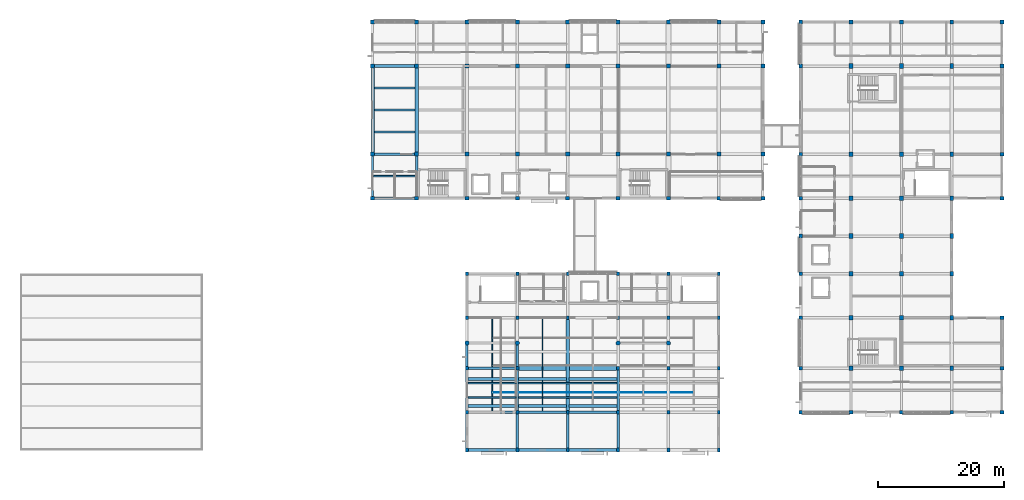
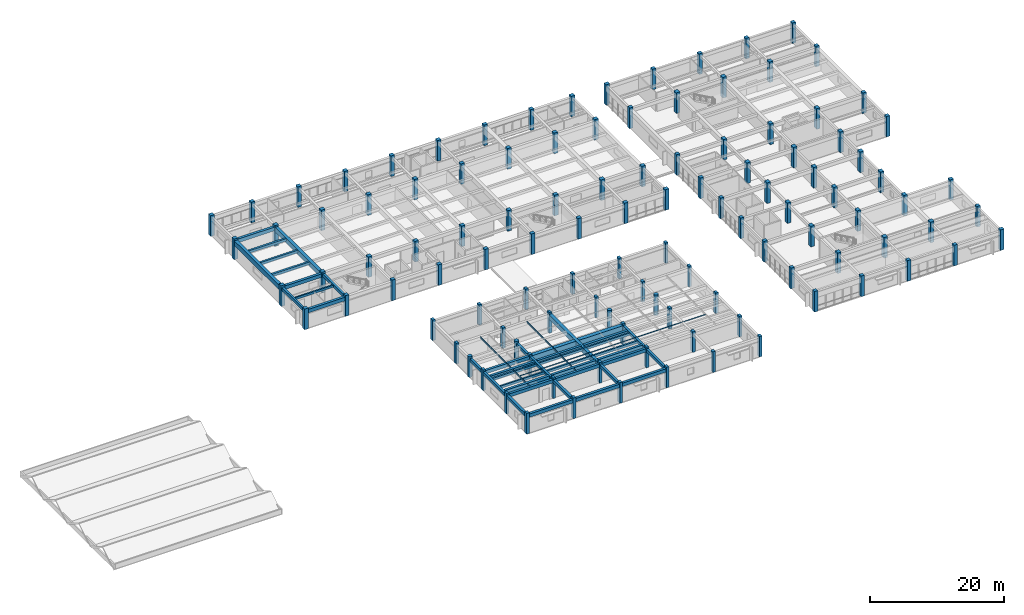
# One storey, part 1 of 33: 112 columns, 39 beams, 3 members.
"""IFC4 building model written with IfcOpenShell, lengths in metres."""

import ifcopenshell
import ifcopenshell.guid

model = None  # the IFC model being written
_history = None  # IfcOwnerHistory: only IFC2X3 demands one
_inside = {}  # id of a spatial element -> (the spatial element, [elements in it])
_under = {}  # id of a project, library or spatial element -> (it, [spatial elements below it])
_declared = {}  # id of a project -> (the project, [libraries it declares])
_typed = {}  # id of a type object -> (the type object, [elements of that type])
_made_of = {}  # id of a material, layer set ... -> (it, [elements and type objects made of it])


def new_model(schema):
    """Start an empty IFC model of exactly this schema.

    Asked for "IFC4X3", IfcOpenShell would pick the latest addendum, in which some entities
    have other attributes; the version numbers below select the first issue.
    IFC2X3 requires an IfcOwnerHistory on every rooted entity: one is made here for all.
    """
    global model, _history
    if schema == "IFC4X3":
        model = ifcopenshell.file(schema_version=(4, 3, 0, 0))
    else:
        model = ifcopenshell.file(schema=schema)
    _inside.clear()
    _under.clear()
    _declared.clear()
    _typed.clear()
    _made_of.clear()
    _history = None
    if model.schema == "IFC2X3":
        org = make("IfcOrganization", Name="unknown")
        user = make(
            "IfcPersonAndOrganization",
            ThePerson=make("IfcPerson", FamilyName="unknown"),
            TheOrganization=org,
        )
        app = make(
            "IfcApplication",
            ApplicationDeveloper=org,
            Version="unknown",
            ApplicationFullName="unknown",
            ApplicationIdentifier="unknown",
        )
        _history = make(
            "IfcOwnerHistory",
            OwningUser=user,
            OwningApplication=app,
            ChangeAction="ADDED",
            CreationDate=0,
        )
    return model


def make(cls, **values):
    """One entity of the class cls with the attributes given. An attribute that is None is left unset."""
    return model.create_entity(
        cls, **{name: value for name, value in values.items() if value is not None}
    )


def rooted(cls, **values):
    """An entity with a GlobalId (a new one), such as an element, a storey or a relation."""
    return make(cls, GlobalId=ifcopenshell.guid.new(), OwnerHistory=_history, **values)


def si_unit(unit_type, name, prefix=None):
    """IfcSIUnit, for example si_unit("LENGTHUNIT", "METRE", prefix="MILLI")."""
    return make("IfcSIUnit", UnitType=unit_type, Prefix=prefix, Name=name)


def assignment(units):
    """IfcUnitAssignment: the units of a project."""
    return None if units is None else make("IfcUnitAssignment", Units=units)


def point(xyz):
    """IfcCartesianPoint."""
    return None if xyz is None else make("IfcCartesianPoint", Coordinates=xyz)


def direction(xyz):
    """IfcDirection."""
    return None if xyz is None else make("IfcDirection", DirectionRatios=xyz)


def frame(location, z_axis=None, x_axis=None):
    """IfcAxis2Placement3D, a coordinate frame: its origin and axes. An axis left out is left unset."""
    return make(
        "IfcAxis2Placement3D",
        Location=point(location),
        Axis=direction(z_axis),
        RefDirection=direction(x_axis),
    )


def frame_2d(location, x_axis=None):
    """IfcAxis2Placement2D, a coordinate frame in the plane: its origin and x axis."""
    return make(
        "IfcAxis2Placement2D", Location=point(location), RefDirection=direction(x_axis)
    )


def origin():
    """The frame at (0, 0, 0) with its axes left unset."""
    return frame((0.0, 0.0, 0.0))


def origin_2d():
    """The frame at (0, 0) in the plane with its x axis left unset."""
    return frame_2d((0.0, 0.0))


def place(relative_to, where):
    """IfcLocalPlacement: puts the frame where relative to a parent placement (None: the world)."""
    return make(
        "IfcLocalPlacement", PlacementRelTo=relative_to, RelativePlacement=where
    )


def context(
    kind, dimensions, precision=None, world=None, true_north=None, identifier=None
):
    """IfcGeometricRepresentationContext, for example the 3D "Model" context."""
    return make(
        "IfcGeometricRepresentationContext",
        ContextIdentifier=identifier,
        ContextType=kind,
        CoordinateSpaceDimension=dimensions,
        Precision=precision,
        WorldCoordinateSystem=world,
        TrueNorth=true_north,
    )


def subcontext(parent, identifier, kind, view, scale=None):
    """IfcGeometricRepresentationSubContext, for example "Body" below "Model"."""
    return make(
        "IfcGeometricRepresentationSubContext",
        ContextIdentifier=identifier,
        ContextType=kind,
        ParentContext=parent,
        TargetScale=scale,
        TargetView=view,
    )


def project(units=None, contexts=None):
    """IfcProject with its units and contexts."""
    return rooted(
        "IfcProject",
        Name="project",
        RepresentationContexts=contexts,
        UnitsInContext=assignment(units),
    )


def spatial(cls, under=None, at=None, **own):
    """A site, building, storey or space (cls), placed at a placement, below another one or the project."""
    s = rooted(cls, ObjectPlacement=at, **own)
    if under is not None:
        _under.setdefault(under.id(), (under, []))[1].append(s)
    return s


def profile(cls, at=None, kind="AREA", **sizes):
    """A parametric profile (cls). Its sizes go by their IFC names, for example OverallWidth=200.0."""
    return make(cls, ProfileType=kind, Position=at, **sizes)


def rectangle(**sizes):
    """IfcRectangleProfileDef."""
    return profile("IfcRectangleProfileDef", **sizes)


def hollow_rectangle(**sizes):
    """IfcRectangleHollowProfileDef."""
    return profile("IfcRectangleHollowProfileDef", **sizes)


def circle(**sizes):
    """IfcCircleProfileDef."""
    return profile("IfcCircleProfileDef", **sizes)


def i_section(**sizes):
    """IfcIShapeProfileDef."""
    return profile("IfcIShapeProfileDef", **sizes)


def extrude(swept, where, along, depth):
    """IfcExtrudedAreaSolid: the profile swept, set in the frame where, extruded along a direction by depth."""
    return make(
        "IfcExtrudedAreaSolid",
        SweptArea=swept,
        Position=where,
        ExtrudedDirection=direction(along),
        Depth=depth,
    )


def shape(context_of_items, identifier, shape_type, items):
    """IfcShapeRepresentation: the items that make up one representation, for example the "Body"."""
    return make(
        "IfcShapeRepresentation",
        ContextOfItems=context_of_items,
        RepresentationIdentifier=identifier,
        RepresentationType=shape_type,
        Items=items,
    )


def material(Name=None, Category=None):
    """IfcMaterial."""
    return make("IfcMaterial", Name=Name, Category=Category)


def material_profile(
    of_material, cross_section, Name=None, Category=None, Priority=None
):
    """IfcMaterialProfile: a cross section and its material."""
    return make(
        "IfcMaterialProfile",
        Name=Name,
        Material=of_material,
        Profile=cross_section,
        Priority=Priority,
        Category=Category,
    )


def profile_set(profiles, Name=None, composite=None):
    """IfcMaterialProfileSet."""
    return make(
        "IfcMaterialProfileSet",
        Name=Name,
        MaterialProfiles=profiles,
        CompositeProfile=composite,
    )


def made_of(thing, what):
    """Note that an element or type object is made of a material, layer set ...; save() writes the relation."""
    if what is not None:
        _made_of.setdefault(what.id(), (what, []))[1].append(thing)
    return thing


def type_object(cls, material=None, **own):
    """A type object (cls), such as IfcWallType, which elements share."""
    return made_of(rooted(cls, **own), material)


def element(
    cls,
    number,
    at=None,
    inside=None,
    cuts=None,
    type_object=None,
    material=None,
    context=None,
    identifier="Body",
    shape_type=None,
    held_by="IfcProductDefinitionShape",
    body=None,
    shapes=None,
    **own,
):
    """One element of the class cls, such as IfcWall. Its Tag is "e" and its number.

    at: its placement. inside: the storey or other place that contains it. cuts: it is an
    opening in that element (IfcRelVoidsElement). A single representation is given by context,
    identifier, shape_type and body (its items); several are given by shapes. held_by: the class
    of the entity that holds the representations. save() writes the other relations.
    """
    e = rooted(cls, Tag="e%d" % number, ObjectPlacement=at, **own)
    if body is not None:
        shapes = [shape(context, identifier, shape_type, body)]
    if shapes is not None:
        e.Representation = make(held_by, Representations=shapes)
    if inside is not None:
        _inside.setdefault(inside.id(), (inside, []))[1].append(e)
    if cuts is not None:
        rooted(
            "IfcRelVoidsElement", RelatingBuildingElement=cuts, RelatedOpeningElement=e
        )
    if type_object is not None:
        _typed.setdefault(type_object.id(), (type_object, []))[1].append(e)
    return made_of(e, material)


def aggregate(whole, parts):
    """IfcRelAggregates: a whole, such as a stair, and the parts it consists of."""
    return rooted("IfcRelAggregates", RelatingObject=whole, RelatedObjects=parts)


def save(model, path):
    """Write the relations noted so far, then the file.

    IfcRelAggregates (storeys below a building ...), IfcRelContainedInSpatialStructure (elements
    in a storey), IfcRelDefinesByType, IfcRelAssociatesMaterial and IfcRelDeclares: one each for
    every whole, place, type object, material and project.
    """
    for whole, parts in _under.values():
        aggregate(whole, parts)
    for where, things in _inside.values():
        rooted(
            "IfcRelContainedInSpatialStructure",
            RelatedElements=things,
            RelatingStructure=where,
        )
    for kind, things in _typed.values():
        rooted("IfcRelDefinesByType", RelatedObjects=things, RelatingType=kind)
    for what, things in _made_of.values():
        rooted("IfcRelAssociatesMaterial", RelatedObjects=things, RelatingMaterial=what)
    for by, libraries in _declared.values():
        rooted("IfcRelDeclares", RelatingContext=by, RelatedDefinitions=libraries)
    model.write(path)


model = new_model("IFC4")

# Units and contexts
model_context = context("Model", 3, precision=1e-05, world=origin(), true_north=direction((0.0, 1.0)))
body_context = subcontext(model_context, "Body", "Model", "MODEL_VIEW")
ifc_project = project(units=[si_unit("LENGTHUNIT", "METRE"), si_unit("AREAUNIT", "SQUARE_METRE"), si_unit("VOLUMEUNIT", "CUBIC_METRE"), si_unit("PLANEANGLEUNIT", "RADIAN"), si_unit("MASSUNIT", "GRAM", prefix="KILO")], contexts=[model_context])

# Site, building, storey
site_placement = place(None, origin())
site = spatial("IfcSite", under=ifc_project, at=site_placement, CompositionType="ELEMENT")
building_placement = place(site_placement, origin())
building = spatial("IfcBuilding", under=site, at=building_placement, Name="Naurynzar Civic Courthouse", CompositionType="ELEMENT")
storey_placement = place(building_placement, frame((0.0, 0.0, 22.050048828125)))
storey = spatial("IfcBuildingStorey", under=building, at=storey_placement, Name="L06", CompositionType="ELEMENT", Elevation=22.050048828125)

# Columns
ifc_material_1 = material(Name="Concrete C40/50", Category="concrete")
ifc_material_profile_1 = material_profile(ifc_material_1, rectangle(XDim=0.449951171875, YDim=0.60009765625, at=origin_2d()), Name="RC 450x600")
ifc_profile_set_1 = profile_set([ifc_material_profile_1], Name="Concrete C40/50")
column_type_1 = type_object("IfcColumnType", Name="COL-RC-450x600", PredefinedType="COLUMN", material=ifc_profile_set_1)
for number, where, z_axis, x_axis, name in (
    (1, (77.0, 4.0, 0.0), (0.0, 0.0, 1.0), (1.0, 0.0, 0.0), "V3 column (77.0,4.0) L06"),
    (2, (77.0, 10.0, 0.0), (0.0, 0.0, 1.0), (1.0, 0.0, 0.0), "V3 column (77.0,10.0) L06"),
    (3, (77.0, 17.0, 0.0), (0.0, 0.0, 1.0), (1.0, 0.0, 0.0), "V3 column (77.0,17.0) L06"),
    (4, (77.0, 25.0, 0.0), (0.0, 0.0, 1.0), (1.0, 0.0, 0.0), "V3 column (77.0,25.0) L06"),
    (5, (77.0, 32.0, 0.0), (0.0, 0.0, 1.0), (1.0, 0.0, 0.0), "V3 column (77.0,32.0) L06"),
    (6, (85.0, 4.0, 0.0), (0.0, 0.0, 1.0), (1.0, 0.0, 0.0), "V3 column (85.0,4.0) L06"),
    (7, (85.0, 10.0, 0.0), (0.0, 0.0, 1.0), (1.0, 0.0, 0.0), "V3 column (85.0,10.0) L06"),
    (8, (85.0, 17.0, 0.0), (0.0, 0.0, 1.0), (1.0, 0.0, 0.0), "V3 column (85.0,17.0) L06"),
    (9, (85.0, 25.0, 0.0), (0.0, 0.0, 1.0), (1.0, 0.0, 0.0), "V3 column (85.0,25.0) L06"),
    (10, (85.0, 32.0, 0.0), (0.0, 0.0, 1.0), (1.0, 0.0, 0.0), "V3 column (85.0,32.0) L06"),
    (11, (93.0, 4.0, 0.0), (0.0, 0.0, 1.0), (1.0, 0.0, 0.0), "V3 column (93.0,4.0) L06"),
    (12, (93.0, 10.0, 0.0), (0.0, 0.0, 1.0), (1.0, 0.0, 0.0), "V3 column (93.0,10.0) L06"),
    (13, (93.0, 25.0, 0.0), (0.0, 0.0, 1.0), (1.0, 0.0, 0.0), "V3 column (93.0,25.0) L06"),
    (14, (93.0, 32.0, 0.0), (0.0, 0.0, 1.0), (1.0, 0.0, 0.0), "V3 column (93.0,32.0) L06"),
    (15, (101.0, 4.0, 0.0), (0.0, 0.0, 1.0), (1.0, 0.0, 0.0), "V3 column (101.0,4.0) L06"),
    (16, (101.0, 10.0, 0.0), (0.0, 0.0, 1.0), (1.0, 0.0, 0.0), "V3 column (101.0,10.0) L06"),
    (17, (101.0, 17.0, 0.0), (0.0, 0.0, 1.0), (1.0, 0.0, 0.0), "V3 column (101.0,17.0) L06"),
    (18, (101.0, 25.0, 0.0), (0.0, 0.0, 1.0), (1.0, 0.0, 0.0), "V3 column (101.0,25.0) L06"),
    (19, (101.0, 32.0, 0.0), (0.0, 0.0, 1.0), (1.0, 0.0, 0.0), "V3 column (101.0,32.0) L06"),
    (20, (109.0, 4.0, 0.0), (0.0, 0.0, 1.0), (1.0, 0.0, 0.0), "V3 column (109.0,4.0) L06"),
    (21, (109.0, 10.0, 0.0), (0.0, 0.0, 1.0), (1.0, 0.0, 0.0), "V3 column (109.0,10.0) L06"),
    (22, (109.0, 17.0, 0.0), (0.0, 0.0, 1.0), (1.0, 0.0, 0.0), "V3 column (109.0,17.0) L06"),
    (23, (109.0, 25.0, 0.0), (0.0, 0.0, 1.0), (1.0, 0.0, 0.0), "V3 column (109.0,25.0) L06"),
    (24, (109.0, 32.0, 0.0), (0.0, 0.0, 1.0), (1.0, 0.0, 0.0), "V3 column (109.0,32.0) L06"),
    (25, (117.0, 4.0, 0.0), (0.0, 0.0, 1.0), (1.0, 0.0, 0.0), "V3 column (117.0,4.0) L06"),
    (26, (117.0, 10.0, 0.0), (0.0, 0.0, 1.0), (1.0, 0.0, 0.0), "V3 column (117.0,10.0) L06"),
    (27, (117.0, 17.0, 0.0), (0.0, 0.0, 1.0), (1.0, 0.0, 0.0), "V3 column (117.0,17.0) L06"),
    (28, (117.0, 25.0, 0.0), (0.0, 0.0, 1.0), (1.0, 0.0, 0.0), "V3 column (117.0,25.0) L06"),
    (29, (117.0, 32.0, 0.0), (0.0, 0.0, 1.0), (1.0, 0.0, 0.0), "V3 column (117.0,32.0) L06"),
):
    element("IfcColumn", number, at=place(storey_placement, frame(where, z_axis=z_axis, x_axis=x_axis)), inside=storey, type_object=column_type_1, Name=name, PredefinedType="COLUMN", context=body_context, shape_type="SweptSolid", body=[
        extrude(rectangle(XDim=0.449951171875, YDim=0.60009765625, at=origin_2d()), origin(), (0.0, 0.0, 1.0), 3.75),
    ])
ifc_material_2 = material(Name="Concrete C40/50", Category="concrete")
ifc_material_profile_2 = material_profile(ifc_material_2, rectangle(XDim=0.60009765625, YDim=0.60009765625, at=origin_2d()), Name="RC 600x600")
ifc_profile_set_2 = profile_set([ifc_material_profile_2], Name="Concrete C40/50")
column_type_2 = type_object("IfcColumnType", Name="COL-RC-600", PredefinedType="COLUMN", material=ifc_profile_set_2)
for number, where, z_axis, x_axis, name in (
    (30, (130.0, 10.0, 0.0), (0.0, 0.0, 1.0), (1.0, 0.0, 0.0), "V5 column (130.0,10.0) L06"),
    (31, (130.0, 17.0, 0.0), (0.0, 0.0, 1.0), (1.0, 0.0, 0.0), "V5 column (130.0,17.0) L06"),
    (32, (130.0, 25.0, 0.0), (0.0, 0.0, 1.0), (1.0, 0.0, 0.0), "V5 column (130.0,25.0) L06"),
    (33, (130.0, 32.0, 0.0), (0.0, 0.0, 1.0), (1.0, 0.0, 0.0), "V5 column (130.0,32.0) L06"),
    (34, (130.0, 38.0, 0.0), (0.0, 0.0, 1.0), (1.0, 0.0, 0.0), "V5 column (130.0,38.0) L06"),
    (35, (130.0, 44.0, 0.0), (0.0, 0.0, 1.0), (1.0, 0.0, 0.0), "V5 column (130.0,44.0) L06"),
    (36, (130.0, 51.0, 0.0), (0.0, 0.0, 1.0), (1.0, 0.0, 0.0), "V5 column (130.0,51.0) L06"),
    (37, (130.0, 65.0, 0.0), (0.0, 0.0, 1.0), (1.0, 0.0, 0.0), "V5 column (130.0,65.0) L06"),
    (38, (130.0, 72.0, 0.0), (0.0, 0.0, 1.0), (1.0, 0.0, 0.0), "V5 column (130.0,72.0) L06"),
    (39, (138.0, 10.0, 0.0), (0.0, 0.0, 1.0), (1.0, 0.0, 0.0), "V5 column (138.0,10.0) L06"),
    (40, (138.0, 72.0, 0.0), (0.0, 0.0, 1.0), (1.0, 0.0, 0.0), "V5 column (138.0,72.0) L06"),
    (41, (146.0, 10.0, 0.0), (0.0, 0.0, 1.0), (1.0, 0.0, 0.0), "V5 column (146.0,10.0) L06"),
    (42, (146.0, 72.0, 0.0), (0.0, 0.0, 1.0), (1.0, 0.0, 0.0), "V5 column (146.0,72.0) L06"),
    (43, (154.0, 10.0, 0.0), (0.0, 0.0, 1.0), (1.0, 0.0, 0.0), "V5 column (154.0,10.0) L06"),
    (44, (154.0, 72.0, 0.0), (0.0, 0.0, 1.0), (1.0, 0.0, 0.0), "V5 column (154.0,72.0) L06"),
    (45, (162.0, 10.0, 0.0), (0.0, 0.0, 1.0), (1.0, 0.0, 0.0), "V5 column (162.0,10.0) L06"),
    (46, (162.0, 17.0, 0.0), (0.0, 0.0, 1.0), (1.0, 0.0, 0.0), "V5 column (162.0,17.0) L06"),
    (47, (162.0, 25.0, 0.0), (0.0, 0.0, 1.0), (1.0, 0.0, 0.0), "V5 column (162.0,25.0) L06"),
    (48, (162.0, 44.0, 0.0), (0.0, 0.0, 1.0), (1.0, 0.0, 0.0), "V5 column (162.0,44.0) L06"),
    (49, (162.0, 51.0, 0.0), (0.0, 0.0, 1.0), (1.0, 0.0, 0.0), "V5 column (162.0,51.0) L06"),
    (50, (162.0, 65.0, 0.0), (0.0, 0.0, 1.0), (1.0, 0.0, 0.0), "V5 column (162.0,65.0) L06"),
    (51, (162.0, 72.0, 0.0), (0.0, 0.0, 1.0), (1.0, 0.0, 0.0), "V5 column (162.0,72.0) L06"),
):
    element("IfcColumn", number, at=place(storey_placement, frame(where, z_axis=z_axis, x_axis=x_axis)), inside=storey, type_object=column_type_2, Name=name, PredefinedType="COLUMN", context=body_context, shape_type="SweptSolid", body=[
        extrude(rectangle(XDim=0.60009765625, YDim=0.60009765625, at=origin_2d()), origin(), (0.0, 0.0, 1.0), 3.75),
    ])
ifc_material_3 = material(Name="Concrete C40/50", Category="concrete")
ifc_material_profile_3 = material_profile(ifc_material_3, rectangle(XDim=0.60009765625, YDim=0.75, at=origin_2d()), Name="RC 600x750")
ifc_profile_set_3 = profile_set([ifc_material_profile_3], Name="Concrete C40/50")
column_type_3 = type_object("IfcColumnType", Name="COL-RC-600x750", PredefinedType="COLUMN", material=ifc_profile_set_3)
for number, where, z_axis, x_axis, name in (
    (52, (138.0, 17.0, 0.0), (0.0, 0.0, 1.0), (1.0, 0.0, 0.0), "V5 column (138.0,17.0) L06"),
    (53, (138.0, 25.0, 0.0), (0.0, 0.0, 1.0), (1.0, 0.0, 0.0), "V5 column (138.0,25.0) L06"),
    (54, (138.0, 32.0, 0.0), (0.0, 0.0, 1.0), (1.0, 0.0, 0.0), "V5 column (138.0,32.0) L06"),
    (55, (138.0, 38.0, 0.0), (0.0, 0.0, 1.0), (1.0, 0.0, 0.0), "V5 column (138.0,38.0) L06"),
    (56, (138.0, 44.0, 0.0), (0.0, 0.0, 1.0), (1.0, 0.0, 0.0), "V5 column (138.0,44.0) L06"),
    (57, (138.0, 51.0, 0.0), (0.0, 0.0, 1.0), (1.0, 0.0, 0.0), "V5 column (138.0,51.0) L06"),
    (58, (138.0, 65.0, 0.0), (0.0, 0.0, 1.0), (1.0, 0.0, 0.0), "V5 column (138.0,65.0) L06"),
    (59, (146.0, 17.0, 0.0), (0.0, 0.0, 1.0), (1.0, 0.0, 0.0), "V5 column (146.0,17.0) L06"),
    (60, (146.0, 25.0, 0.0), (0.0, 0.0, 1.0), (1.0, 0.0, 0.0), "V5 column (146.0,25.0) L06"),
    (61, (146.0, 32.0, 0.0), (0.0, 0.0, 1.0), (1.0, 0.0, 0.0), "V5 column (146.0,32.0) L06"),
    (62, (146.0, 38.0, 0.0), (0.0, 0.0, 1.0), (1.0, 0.0, 0.0), "V5 column (146.0,38.0) L06"),
    (63, (146.0, 44.0, 0.0), (0.0, 0.0, 1.0), (1.0, 0.0, 0.0), "V5 column (146.0,44.0) L06"),
    (64, (146.0, 51.0, 0.0), (0.0, 0.0, 1.0), (1.0, 0.0, 0.0), "V5 column (146.0,51.0) L06"),
    (65, (146.0, 65.0, 0.0), (0.0, 0.0, 1.0), (1.0, 0.0, 0.0), "V5 column (146.0,65.0) L06"),
    (66, (154.0, 17.0, 0.0), (0.0, 0.0, 1.0), (1.0, 0.0, 0.0), "V5 column (154.0,17.0) L06"),
    (67, (154.0, 25.0, 0.0), (0.0, 0.0, 1.0), (1.0, 0.0, 0.0), "V5 column (154.0,25.0) L06"),
    (68, (154.0, 32.0, 0.0), (0.0, 0.0, 1.0), (1.0, 0.0, 0.0), "V5 column (154.0,32.0) L06"),
    (69, (154.0, 38.0, 0.0), (0.0, 0.0, 1.0), (1.0, 0.0, 0.0), "V5 column (154.0,38.0) L06"),
    (70, (154.0, 44.0, 0.0), (0.0, 0.0, 1.0), (1.0, 0.0, 0.0), "V5 column (154.0,44.0) L06"),
    (71, (154.0, 51.0, 0.0), (0.0, 0.0, 1.0), (1.0, 0.0, 0.0), "V5 column (154.0,51.0) L06"),
    (72, (154.0, 65.0, 0.0), (0.0, 0.0, 1.0), (1.0, 0.0, 0.0), "V5 column (154.0,65.0) L06"),
):
    element("IfcColumn", number, at=place(storey_placement, frame(where, z_axis=z_axis, x_axis=x_axis)), inside=storey, type_object=column_type_3, Name=name, PredefinedType="COLUMN", context=body_context, shape_type="SweptSolid", body=[
        extrude(rectangle(XDim=0.60009765625, YDim=0.75, at=origin_2d()), origin(), (0.0, 0.0, 1.0), 3.75),
    ])
ifc_material_4 = material(Name="Concrete C40/50", Category="concrete")
ifc_material_profile_4 = material_profile(ifc_material_4, rectangle(XDim=0.625, YDim=0.625, at=origin_2d()), Name="RC 625x625")
ifc_profile_set_4 = profile_set([ifc_material_profile_4], Name="Concrete C40/50")
column_type_4 = type_object("IfcColumnType", Name="COL-RC-625x625", PredefinedType="COLUMN", material=ifc_profile_set_4)
for number, where, z_axis, x_axis, name in (
    (73, (62.0, 44.0, 0.0), (0.0, 0.0, 1.0), (1.0, 0.0, 0.0), "V2 column (62.0,44.0) L06"),
    (74, (62.0, 51.0, 0.0), (0.0, 0.0, 1.0), (1.0, 0.0, 0.0), "V2 column (62.0,51.0) L06"),
    (75, (62.0, 65.0, 0.0), (0.0, 0.0, 1.0), (1.0, 0.0, 0.0), "V2 column (62.0,65.0) L06"),
    (76, (62.0, 72.0, 0.0), (0.0, 0.0, 1.0), (1.0, 0.0, 0.0), "V2 column (62.0,72.0) L06"),
    (77, (69.0, 44.0, 0.0), (0.0, 0.0, 1.0), (1.0, 0.0, 0.0), "V2 column (69.0,44.0) L06"),
    (78, (69.0, 72.0, 0.0), (0.0, 0.0, 1.0), (1.0, 0.0, 0.0), "V2 column (69.0,72.0) L06"),
    (79, (77.0, 44.0, 0.0), (0.0, 0.0, 1.0), (1.0, 0.0, 0.0), "V2 column (77.0,44.0) L06"),
    (80, (77.0, 72.0, 0.0), (0.0, 0.0, 1.0), (1.0, 0.0, 0.0), "V2 column (77.0,72.0) L06"),
    (81, (85.0, 44.0, 0.0), (0.0, 0.0, 1.0), (1.0, 0.0, 0.0), "V2 column (85.0,44.0) L06"),
    (82, (85.0, 72.0, 0.0), (0.0, 0.0, 1.0), (1.0, 0.0, 0.0), "V2 column (85.0,72.0) L06"),
    (83, (93.0, 44.0, 0.0), (0.0, 0.0, 1.0), (1.0, 0.0, 0.0), "V2 column (93.0,44.0) L06"),
    (84, (93.0, 72.0, 0.0), (0.0, 0.0, 1.0), (1.0, 0.0, 0.0), "V2 column (93.0,72.0) L06"),
    (85, (101.0, 44.0, 0.0), (0.0, 0.0, 1.0), (1.0, 0.0, 0.0), "V2 column (101.0,44.0) L06"),
    (86, (101.0, 72.0, 0.0), (0.0, 0.0, 1.0), (1.0, 0.0, 0.0), "V2 column (101.0,72.0) L06"),
    (87, (109.0, 44.0, 0.0), (0.0, 0.0, 1.0), (1.0, 0.0, 0.0), "V2 column (109.0,44.0) L06"),
    (88, (109.0, 72.0, 0.0), (0.0, 0.0, 1.0), (1.0, 0.0, 0.0), "V2 column (109.0,72.0) L06"),
    (89, (117.0, 44.0, 0.0), (0.0, 0.0, 1.0), (1.0, 0.0, 0.0), "V2 column (117.0,44.0) L06"),
    (90, (117.0, 72.0, 0.0), (0.0, 0.0, 1.0), (1.0, 0.0, 0.0), "V2 column (117.0,72.0) L06"),
    (91, (124.0, 44.0, 0.0), (0.0, 0.0, 1.0), (1.0, 0.0, 0.0), "V2 column (124.0,44.0) L06"),
    (92, (124.0, 51.0, 0.0), (0.0, 0.0, 1.0), (1.0, 0.0, 0.0), "V2 column (124.0,51.0) L06"),
    (93, (124.0, 65.0, 0.0), (0.0, 0.0, 1.0), (1.0, 0.0, 0.0), "V2 column (124.0,65.0) L06"),
    (94, (124.0, 72.0, 0.0), (0.0, 0.0, 1.0), (1.0, 0.0, 0.0), "V2 column (124.0,72.0) L06"),
):
    element("IfcColumn", number, at=place(storey_placement, frame(where, z_axis=z_axis, x_axis=x_axis)), inside=storey, type_object=column_type_4, Name=name, PredefinedType="COLUMN", context=body_context, shape_type="SweptSolid", body=[
        extrude(rectangle(XDim=0.625, YDim=0.625, at=origin_2d()), origin(), (0.0, 0.0, 1.0), 3.75),
    ])
ifc_material_5 = material(Name="Concrete C40/50", Category="concrete")
ifc_material_profile_5 = material_profile(ifc_material_5, rectangle(XDim=0.64990234375, YDim=0.64990234375, at=origin_2d()), Name="RC 650x650")
ifc_profile_set_5 = profile_set([ifc_material_profile_5], Name="Concrete C40/50")
column_type_5 = type_object("IfcColumnType", Name="COL-RC-650", PredefinedType="COLUMN", material=ifc_profile_set_5)
for number, where, z_axis, x_axis, name in (
    (95, (69.0, 51.0, 0.0), (0.0, 0.0, 1.0), (1.0, 0.0, 0.0), "V2 column (69.0,51.0) L06"),
    (96, (69.0, 65.0, 0.0), (0.0, 0.0, 1.0), (1.0, 0.0, 0.0), "V2 column (69.0,65.0) L06"),
    (97, (77.0, 51.0, 0.0), (0.0, 0.0, 1.0), (1.0, 0.0, 0.0), "V2 column (77.0,51.0) L06"),
    (98, (77.0, 65.0, 0.0), (0.0, 0.0, 1.0), (1.0, 0.0, 0.0), "V2 column (77.0,65.0) L06"),
    (99, (85.0, 51.0, 0.0), (0.0, 0.0, 1.0), (1.0, 0.0, 0.0), "V2 column (85.0,51.0) L06"),
    (100, (85.0, 65.0, 0.0), (0.0, 0.0, 1.0), (1.0, 0.0, 0.0), "V2 column (85.0,65.0) L06"),
    (101, (93.0, 51.0, 0.0), (0.0, 0.0, 1.0), (1.0, 0.0, 0.0), "V2 column (93.0,51.0) L06"),
    (102, (93.0, 65.0, 0.0), (0.0, 0.0, 1.0), (1.0, 0.0, 0.0), "V2 column (93.0,65.0) L06"),
    (103, (101.0, 51.0, 0.0), (0.0, 0.0, 1.0), (1.0, 0.0, 0.0), "V2 column (101.0,51.0) L06"),
    (104, (101.0, 65.0, 0.0), (0.0, 0.0, 1.0), (1.0, 0.0, 0.0), "V2 column (101.0,65.0) L06"),
    (105, (109.0, 51.0, 0.0), (0.0, 0.0, 1.0), (1.0, 0.0, 0.0), "V2 column (109.0,51.0) L06"),
    (106, (109.0, 65.0, 0.0), (0.0, 0.0, 1.0), (1.0, 0.0, 0.0), "V2 column (109.0,65.0) L06"),
    (107, (117.0, 51.0, 0.0), (0.0, 0.0, 1.0), (1.0, 0.0, 0.0), "V2 column (117.0,51.0) L06"),
    (108, (117.0, 65.0, 0.0), (0.0, 0.0, 1.0), (1.0, 0.0, 0.0), "V2 column (117.0,65.0) L06"),
):
    element("IfcColumn", number, at=place(storey_placement, frame(where, z_axis=z_axis, x_axis=x_axis)), inside=storey, type_object=column_type_5, Name=name, PredefinedType="COLUMN", context=body_context, shape_type="SweptSolid", body=[
        extrude(rectangle(XDim=0.64990234375, YDim=0.64990234375, at=origin_2d()), origin(), (0.0, 0.0, 1.0), 3.75),
    ])
ifc_material_6 = material(Name="Concrete C40/50", Category="concrete")
ifc_material_profile_6 = material_profile(ifc_material_6, circle(Radius=0.35009765625, at=origin_2d()), Name="RC D700")
ifc_profile_set_6 = profile_set([ifc_material_profile_6], Name="Concrete C40/50")
column_type_6 = type_object("IfcColumnType", Name="COL-RC-D700", PredefinedType="COLUMN", material=ifc_profile_set_6)
for number, where, z_axis, x_axis, name in (
    (109, (77.0, 21.0, 0.0), (0.0, 0.0, 1.0), (1.0, 0.0, 0.0), "Law Library central spine column 77 L06"),
    (110, (85.0, 21.0, 0.0), (0.0, 0.0, 1.0), (1.0, 0.0, 0.0), "Law Library central spine column 85 L06"),
    (111, (101.0, 21.0, 0.0), (0.0, 0.0, 1.0), (1.0, 0.0, 0.0), "Law Library central spine column 101 L06"),
    (112, (109.0, 21.0, 0.0), (0.0, 0.0, 1.0), (1.0, 0.0, 0.0), "Law Library central spine column 109 L06"),
):
    element("IfcColumn", number, at=place(storey_placement, frame(where, z_axis=z_axis, x_axis=x_axis)), inside=storey, type_object=column_type_6, Name=name, PredefinedType="COLUMN", context=body_context, shape_type="SweptSolid", body=[
        extrude(circle(Radius=0.35009765625, at=origin_2d()), origin(), (0.0, 0.0, 1.0), 3.75),
    ])

# Beams
ifc_material_7 = material(Name="Concrete C40/50", Category="concrete")
ifc_material_profile_7 = material_profile(ifc_material_7, rectangle(XDim=0.25, YDim=0.39990234375, at=origin_2d()), Name="RCB 250x400")
ifc_profile_set_7 = profile_set([ifc_material_profile_7], Name="Concrete C40/50")
beam_type_1 = type_object("IfcBeamType", Name="BM-JST-250x400", PredefinedType="JOIST", material=ifc_profile_set_7)
beam_1_placement = place(storey_placement, frame((62.1875, 47.5, 3.22998046875), z_axis=(1.0, 0.0, 0.0), x_axis=(0.0, 1.0, 0.0)))
element("IfcBeam", 113, at=beam_1_placement, inside=storey, type_object=beam_type_1, Name="V2 secondary rib 895 L06", PredefinedType="JOIST", context=body_context, shape_type="SweptSolid", body=[
    extrude(rectangle(XDim=0.25, YDim=0.39990234375, at=origin_2d()), origin(), (0.0, 0.0, 1.0), 6.625),
])
ifc_material_8 = material(Name="Concrete C40/50", Category="concrete")
ifc_material_profile_8 = material_profile(ifc_material_8, rectangle(XDim=0.27490234375, YDim=0.425048828125, at=origin_2d()), Name="RCB 275x425")
ifc_profile_set_8 = profile_set([ifc_material_profile_8], Name="Concrete C40/50")
beam_type_2 = type_object("IfcBeamType", Name="BM-JST-275x425", PredefinedType="JOIST", material=ifc_profile_set_8)
for number, where, z_axis, x_axis, name in (
    (114, (77.199951171875, 12.333251953125, 3.217529296875), (1.0, 0.0, 0.0), (0.0, 1.0, 0.0), "V3 secondary rib 1682 L06"),
    (115, (77.199951171875, 14.666748046875, 3.217529296875), (1.0, 0.0, 0.0), (0.0, 1.0, 0.0), "V3 secondary rib 1683 L06"),
):
    element("IfcBeam", number, at=place(storey_placement, frame(where, z_axis=z_axis, x_axis=x_axis)), inside=storey, type_object=beam_type_2, Name=name, PredefinedType="JOIST", context=body_context, shape_type="SweptSolid", body=[
        extrude(rectangle(XDim=0.27490234375, YDim=0.425048828125, at=origin_2d()), origin(), (0.0, 0.0, 1.0), 7.60009765625),
    ])
for number, where, z_axis, x_axis, name in (
    (116, (85.199951171875, 12.333251953125, 3.217529296875), (1.0, 0.0, 0.0), (0.0, 1.0, 0.0), "V3 secondary rib 1684 L06"),
    (117, (85.199951171875, 14.666748046875, 3.217529296875), (1.0, 0.0, 0.0), (0.0, 1.0, 0.0), "V3 secondary rib 1685 L06"),
):
    element("IfcBeam", number, at=place(storey_placement, frame(where, z_axis=z_axis, x_axis=x_axis)), inside=storey, type_object=beam_type_2, Name=name, PredefinedType="JOIST", context=body_context, shape_type="SweptSolid", body=[
        extrude(rectangle(XDim=0.27490234375, YDim=0.425048828125, at=origin_2d()), origin(), (0.0, 0.0, 1.0), 15.60009765625),
    ])
ifc_material_9 = material(Name="Concrete C40/50", Category="concrete")
ifc_material_profile_9 = material_profile(ifc_material_9, rectangle(XDim=0.550048828125, YDim=0.85009765625, at=origin_2d()), Name="PTB 550x850")
ifc_profile_set_9 = profile_set([ifc_material_profile_9], Name="Concrete C40/50")
beam_type_3 = type_object("IfcBeamType", Name="BM-PT-550x850", PredefinedType="T_BEAM", material=ifc_profile_set_9)
beam_2_placement = place(storey_placement, frame((62.0, 51.3125, 3.0048828125), z_axis=(0.0, 1.0, 0.0), x_axis=(-1.0, 0.0, 0.0)))
element("IfcBeam", 118, at=beam_2_placement, inside=storey, type_object=beam_type_3, Name="V2 girder Y-869 L06", PredefinedType="T_BEAM", context=body_context, shape_type="SweptSolid", body=[
    extrude(rectangle(XDim=0.550048828125, YDim=0.85009765625, at=origin_2d()), origin(), (0.0, 0.0, 1.0), 13.375),
])
beam_3_placement = place(storey_placement, frame((69.0, 51.324951171875, 3.0048828125), z_axis=(0.0, 1.0, 0.0), x_axis=(-1.0, 0.0, 0.0)))
element("IfcBeam", 119, at=beam_3_placement, inside=storey, type_object=beam_type_3, Name="V2 girder Y-872 L06", PredefinedType="T_BEAM", context=body_context, shape_type="SweptSolid", body=[
    extrude(rectangle(XDim=0.550048828125, YDim=0.85009765625, at=origin_2d()), origin(), (0.0, 0.0, 1.0), 13.35009765625),
])
beam_4_placement = place(storey_placement, frame((93.0, 10.300048828125, 3.0048828125), z_axis=(0.0, 1.0, 0.0), x_axis=(-1.0, 0.0, 0.0)))
element("IfcBeam", 120, at=beam_4_placement, inside=storey, type_object=beam_type_3, Name="V3 girder Y-1666 L06", PredefinedType="T_BEAM", context=body_context, shape_type="SweptSolid", body=[
    extrude(rectangle(XDim=0.550048828125, YDim=0.85009765625, at=origin_2d()), origin(), (0.0, 0.0, 1.0), 14.39990234375),
])
ifc_material_10 = material(Name="Concrete C40/50", Category="concrete")
ifc_material_profile_10 = material_profile(ifc_material_10, rectangle(XDim=0.64990234375, YDim=1.10009765625, at=origin_2d()), Name="PTB 650x1100")
ifc_profile_set_10 = profile_set([ifc_material_profile_10], Name="Concrete C40/50")
beam_type_4 = type_object("IfcBeamType", Name="BM-PT-650x1100", PredefinedType="T_BEAM", material=ifc_profile_set_10)
beam_5_placement = place(storey_placement, frame((85.22509765625, 17.0, 2.8798828125), z_axis=(1.0, 0.0, 0.0), x_axis=(0.0, 1.0, 0.0)))
element("IfcBeam", 121, at=beam_5_placement, inside=storey, type_object=beam_type_4, Name="V3 beam X-1642 L06", PredefinedType="T_BEAM", context=body_context, shape_type="SweptSolid", body=[
    extrude(rectangle(XDim=0.64990234375, YDim=1.10009765625, at=origin_2d()), origin(), (0.0, 0.0, 1.0), 15.5498046875),
])
ifc_material_11 = material(Name="Concrete C40/50", Category="concrete")
ifc_material_profile_11 = material_profile(ifc_material_11, rectangle(XDim=0.35009765625, YDim=0.449951171875, at=origin_2d()), Name="RCB 350x450")
ifc_profile_set_11 = profile_set([ifc_material_profile_11], Name="Concrete C40/50")
beam_type_5 = type_object("IfcBeamType", Name="BM-RC-350x450", PredefinedType="BEAM", material=ifc_profile_set_11)
for number, where, z_axis, x_axis, name in (
    (122, (62.27490234375, 54.5, 3.204833984375), (1.0, 0.0, 0.0), (0.0, 1.0, 0.0), "V2 secondary rib 899 L06"),
    (123, (62.27490234375, 58.0, 3.204833984375), (1.0, 0.0, 0.0), (0.0, 1.0, 0.0), "V2 secondary rib 900 L06"),
    (124, (62.27490234375, 61.5, 3.204833984375), (1.0, 0.0, 0.0), (0.0, 1.0, 0.0), "V2 secondary rib 901 L06"),
):
    element("IfcBeam", number, at=place(storey_placement, frame(where, z_axis=z_axis, x_axis=x_axis)), inside=storey, type_object=beam_type_5, Name=name, PredefinedType="BEAM", context=body_context, shape_type="SweptSolid", body=[
        extrude(rectangle(XDim=0.35009765625, YDim=0.449951171875, at=origin_2d()), origin(), (0.0, 0.0, 1.0), 6.4501953125),
    ])
ifc_material_12 = material(Name="Concrete C40/50", Category="concrete")
ifc_material_profile_12 = material_profile(ifc_material_12, rectangle(XDim=0.375, YDim=0.550048828125, at=origin_2d()), Name="RCB 375x550")
ifc_profile_set_12 = profile_set([ifc_material_profile_12], Name="Concrete C40/50")
beam_type_6 = type_object("IfcBeamType", Name="BM-RC-375x550", PredefinedType="BEAM", material=ifc_profile_set_12)
beam_6_placement = place(storey_placement, frame((62.0, 44.3125, 3.155029296875), z_axis=(0.0, 1.0, 0.0), x_axis=(-1.0, 0.0, 0.0)))
element("IfcBeam", 125, at=beam_6_placement, inside=storey, type_object=beam_type_6, Name="V2 girder Y-868 L06", PredefinedType="BEAM", context=body_context, shape_type="SweptSolid", body=[
    extrude(rectangle(XDim=0.375, YDim=0.550048828125, at=origin_2d()), origin(), (0.0, 0.0, 1.0), 6.375),
])
beam_7_placement = place(storey_placement, frame((69.0, 44.3125, 3.155029296875), z_axis=(0.0, 1.0, 0.0), x_axis=(-1.0, 0.0, 0.0)))
element("IfcBeam", 126, at=beam_7_placement, inside=storey, type_object=beam_type_6, Name="V2 girder Y-871 L06", PredefinedType="BEAM", context=body_context, shape_type="SweptSolid", body=[
    extrude(rectangle(XDim=0.375, YDim=0.550048828125, at=origin_2d()), origin(), (0.0, 0.0, 1.0), 6.362548828125),
])
ifc_material_13 = material(Name="Concrete C40/50", Category="concrete")
ifc_material_profile_13 = material_profile(ifc_material_13, rectangle(XDim=0.39990234375, YDim=0.550048828125, at=origin_2d()), Name="RCB 400x550")
ifc_profile_set_13 = profile_set([ifc_material_profile_13], Name="Concrete C40/50")
beam_type_7 = type_object("IfcBeamType", Name="BM-RC-400x550", PredefinedType="BEAM", material=ifc_profile_set_13)
beam_8_placement = place(storey_placement, frame((77.0, 4.300048828125, 3.155029296875), z_axis=(0.0, 1.0, 0.0), x_axis=(-1.0, 0.0, 0.0)))
element("IfcBeam", 127, at=beam_8_placement, inside=storey, type_object=beam_type_7, Name="V3 girder Y-1655 L06", PredefinedType="BEAM", context=body_context, shape_type="SweptSolid", body=[
    extrude(rectangle(XDim=0.39990234375, YDim=0.550048828125, at=origin_2d()), origin(), (0.0, 0.0, 1.0), 5.39990234375),
])
beam_9_placement = place(storey_placement, frame((77.0, 10.300048828125, 3.155029296875), z_axis=(0.0, 1.0, 0.0), x_axis=(-1.0, 0.0, 0.0)))
element("IfcBeam", 128, at=beam_9_placement, inside=storey, type_object=beam_type_7, Name="V3 girder Y-1656 L06", PredefinedType="BEAM", context=body_context, shape_type="SweptSolid", body=[
    extrude(rectangle(XDim=0.39990234375, YDim=0.550048828125, at=origin_2d()), origin(), (0.0, 0.0, 1.0), 6.39990234375),
])
beam_10_placement = place(storey_placement, frame((77.0, 17.300048828125, 3.155029296875), z_axis=(0.0, 1.0, 0.0), x_axis=(-1.0, 0.0, 0.0)))
element("IfcBeam", 129, at=beam_10_placement, inside=storey, type_object=beam_type_7, Name="V3 girder Y-1657 L06", PredefinedType="BEAM", context=body_context, shape_type="SweptSolid", body=[
    extrude(rectangle(XDim=0.39990234375, YDim=0.550048828125, at=origin_2d()), origin(), (0.0, 0.0, 1.0), 3.349853515625),
])
beam_11_placement = place(storey_placement, frame((85.0, 4.300048828125, 3.155029296875), z_axis=(0.0, 1.0, 0.0), x_axis=(-1.0, 0.0, 0.0)))
element("IfcBeam", 130, at=beam_11_placement, inside=storey, type_object=beam_type_7, Name="V3 girder Y-1660 L06", PredefinedType="BEAM", context=body_context, shape_type="SweptSolid", body=[
    extrude(rectangle(XDim=0.39990234375, YDim=0.550048828125, at=origin_2d()), origin(), (0.0, 0.0, 1.0), 5.39990234375),
])
beam_12_placement = place(storey_placement, frame((85.0, 10.300048828125, 3.155029296875), z_axis=(0.0, 1.0, 0.0), x_axis=(-1.0, 0.0, 0.0)))
element("IfcBeam", 131, at=beam_12_placement, inside=storey, type_object=beam_type_7, Name="V3 girder Y-1661 L06", PredefinedType="BEAM", context=body_context, shape_type="SweptSolid", body=[
    extrude(rectangle(XDim=0.39990234375, YDim=0.550048828125, at=origin_2d()), origin(), (0.0, 0.0, 1.0), 6.39990234375),
])
beam_13_placement = place(storey_placement, frame((85.0, 17.300048828125, 3.155029296875), z_axis=(0.0, 1.0, 0.0), x_axis=(-1.0, 0.0, 0.0)))
element("IfcBeam", 132, at=beam_13_placement, inside=storey, type_object=beam_type_7, Name="V3 girder Y-1662 L06", PredefinedType="BEAM", context=body_context, shape_type="SweptSolid", body=[
    extrude(rectangle(XDim=0.39990234375, YDim=0.550048828125, at=origin_2d()), origin(), (0.0, 0.0, 1.0), 3.349853515625),
])
for number, where, z_axis, x_axis, name in (
    (133, (93.0, 4.300048828125, 3.155029296875), (0.0, 1.0, 0.0), (-1.0, 0.0, 0.0), "V3 girder Y-1665 L06"),
    (134, (101.0, 4.300048828125, 3.155029296875), (0.0, 1.0, 0.0), (-1.0, 0.0, 0.0), "V3 girder Y-1668 L06"),
):
    element("IfcBeam", number, at=place(storey_placement, frame(where, z_axis=z_axis, x_axis=x_axis)), inside=storey, type_object=beam_type_7, Name=name, PredefinedType="BEAM", context=body_context, shape_type="SweptSolid", body=[
        extrude(rectangle(XDim=0.39990234375, YDim=0.550048828125, at=origin_2d()), origin(), (0.0, 0.0, 1.0), 5.39990234375),
    ])
beam_14_placement = place(storey_placement, frame((101.0, 10.300048828125, 3.155029296875), z_axis=(0.0, 1.0, 0.0), x_axis=(-1.0, 0.0, 0.0)))
element("IfcBeam", 135, at=beam_14_placement, inside=storey, type_object=beam_type_7, Name="V3 girder Y-1669 L06", PredefinedType="BEAM", context=body_context, shape_type="SweptSolid", body=[
    extrude(rectangle(XDim=0.39990234375, YDim=0.550048828125, at=origin_2d()), origin(), (0.0, 0.0, 1.0), 6.39990234375),
])
ifc_material_14 = material(Name="Concrete C40/50", Category="concrete")
ifc_material_profile_14 = material_profile(ifc_material_14, rectangle(XDim=0.425048828125, YDim=0.60009765625, at=origin_2d()), Name="RCB 425x600")
ifc_profile_set_14 = profile_set([ifc_material_profile_14], Name="Concrete C40/50")
beam_type_8 = type_object("IfcBeamType", Name="BM-RC-425x600", PredefinedType="BEAM", material=ifc_profile_set_14)
for number, where, z_axis, x_axis, name in (
    (136, (77.22509765625, 4.0, 3.1298828125), (1.0, 0.0, 0.0), (0.0, 1.0, 0.0), "V3 beam X-1631 L06"),
    (137, (85.22509765625, 4.0, 3.1298828125), (1.0, 0.0, 0.0), (0.0, 1.0, 0.0), "V3 beam X-1632 L06"),
    (138, (93.22509765625, 4.0, 3.1298828125), (1.0, 0.0, 0.0), (0.0, 1.0, 0.0), "V3 beam X-1633 L06"),
    (139, (77.22509765625, 10.0, 3.1298828125), (1.0, 0.0, 0.0), (0.0, 1.0, 0.0), "V3 beam X-1636 L06"),
    (140, (85.22509765625, 10.0, 3.1298828125), (1.0, 0.0, 0.0), (0.0, 1.0, 0.0), "V3 beam X-1637 L06"),
    (141, (93.22509765625, 10.0, 3.1298828125), (1.0, 0.0, 0.0), (0.0, 1.0, 0.0), "V3 beam X-1638 L06"),
    (142, (77.22509765625, 17.0, 3.1298828125), (1.0, 0.0, 0.0), (0.0, 1.0, 0.0), "V3 beam X-1641 L06"),
):
    element("IfcBeam", number, at=place(storey_placement, frame(where, z_axis=z_axis, x_axis=x_axis)), inside=storey, type_object=beam_type_8, Name=name, PredefinedType="BEAM", context=body_context, shape_type="SweptSolid", body=[
        extrude(rectangle(XDim=0.425048828125, YDim=0.60009765625, at=origin_2d()), origin(), (0.0, 0.0, 1.0), 7.5498046875),
    ])
for number, where, z_axis, x_axis, name in (
    (143, (77.199951171875, 11.0, 3.199951171875), (1.0, 0.0, 0.0), (0.0, 1.0, 0.0), "V3 clerestory valley beam 1"),
    (144, (85.199951171875, 11.0, 3.199951171875), (1.0, 0.0, 0.0), (0.0, 1.0, 0.0), "V3 clerestory valley beam 2"),
    (145, (93.199951171875, 11.0, 3.199951171875), (1.0, 0.0, 0.0), (0.0, 1.0, 0.0), "V3 clerestory valley beam 3"),
    (146, (77.199951171875, 15.300048828125, 3.199951171875), (1.0, 0.0, 0.0), (0.0, 1.0, 0.0), "V3 clerestory valley beam 6"),
    (147, (85.199951171875, 15.300048828125, 3.199951171875), (1.0, 0.0, 0.0), (0.0, 1.0, 0.0), "V3 clerestory valley beam 7"),
    (148, (93.199951171875, 15.300048828125, 3.199951171875), (1.0, 0.0, 0.0), (0.0, 1.0, 0.0), "V3 clerestory valley beam 8"),
):
    element("IfcBeam", number, at=place(storey_placement, frame(where, z_axis=z_axis, x_axis=x_axis)), inside=storey, type_object=beam_type_8, Name=name, PredefinedType="BEAM", context=body_context, shape_type="SweptSolid", body=[
        extrude(rectangle(XDim=0.425048828125, YDim=0.60009765625, at=origin_2d()), origin(), (0.0, 0.0, 1.0), 7.60009765625),
    ])
ifc_material_15 = material(Name="Concrete C40/50", Category="concrete")
ifc_material_profile_15 = material_profile(ifc_material_15, rectangle(XDim=0.449951171875, YDim=0.64990234375, at=origin_2d()), Name="RCB 450x650")
ifc_profile_set_15 = profile_set([ifc_material_profile_15], Name="Concrete C40/50")
beam_type_9 = type_object("IfcBeamType", Name="BM-RC-450x650", PredefinedType="BEAM", material=ifc_profile_set_15)
beam_15_placement = place(storey_placement, frame((62.3125, 44.0, 3.10498046875), z_axis=(1.0, 0.0, 0.0), x_axis=(0.0, 1.0, 0.0)))
element("IfcBeam", 149, at=beam_15_placement, inside=storey, type_object=beam_type_9, Name="V2 beam X-836 L06", PredefinedType="BEAM", context=body_context, shape_type="SweptSolid", body=[
    extrude(rectangle(XDim=0.449951171875, YDim=0.64990234375, at=origin_2d()), origin(), (0.0, 0.0, 1.0), 6.375),
])
for number, where, z_axis, x_axis, name in (
    (150, (62.3125, 51.0, 3.10498046875), (1.0, 0.0, 0.0), (0.0, 1.0, 0.0), "V2 beam X-844 L06"),
    (151, (62.3125, 65.0, 3.10498046875), (1.0, 0.0, 0.0), (0.0, 1.0, 0.0), "V2 beam X-852 L06"),
):
    element("IfcBeam", number, at=place(storey_placement, frame(where, z_axis=z_axis, x_axis=x_axis)), inside=storey, type_object=beam_type_9, Name=name, PredefinedType="BEAM", context=body_context, shape_type="SweptSolid", body=[
        extrude(rectangle(XDim=0.449951171875, YDim=0.64990234375, at=origin_2d()), origin(), (0.0, 0.0, 1.0), 6.362548828125),
    ])

# Members
ifc_material_16 = material(Name="Steel S355", Category="steel")
ifc_material_profile_16 = material_profile(ifc_material_16, hollow_rectangle(XDim=0.080078125, YDim=0.159912109375, WallThickness=0.008056640625, InnerFilletRadius=0.008056640625, OuterFilletRadius=0.01611328125, at=origin_2d()), Name="RHS 160x80x8")
ifc_profile_set_16 = profile_set([ifc_material_profile_16], Name="Steel S355")
member_type_1 = type_object("IfcMemberType", Name="MEM-PURLIN-RHS160", PredefinedType="PURLIN", material=ifc_profile_set_16)
member_placement = place(storey_placement, frame((81.0, 13.14990234375, 3.364990234375), z_axis=(1.0, 0.0, 0.0), x_axis=(0.0, 1.0, 0.0)))
element("IfcMember", 152, at=member_placement, inside=storey, type_object=member_type_1, Name="Law Library clerestory purlin 1", PredefinedType="PURLIN", context=body_context, shape_type="SweptSolid", body=[
    extrude(hollow_rectangle(XDim=0.080078125, YDim=0.159912109375, WallThickness=0.008056640625, InnerFilletRadius=0.008056640625, OuterFilletRadius=0.01611328125, at=origin_2d()), origin(), (0.0, 0.0, 1.0), 32.0),
])
ifc_material_17 = material(Name="Steel S355", Category="steel")
ifc_material_profile_17 = material_profile(ifc_material_17, i_section(OverallWidth=0.135009765625, OverallDepth=0.27001953125, WebThickness=0.006591796875, FlangeThickness=0.01025390625, FilletRadius=0.014892578125, at=origin_2d()), Name="IPE 270")
ifc_profile_set_17 = profile_set([ifc_material_profile_17], Name="Steel S355")
member_type_2 = type_object("IfcMemberType", Name="MEM-RAFTER-IPE270", PredefinedType="RAFTER", material=ifc_profile_set_17)
for number, where, z_axis, x_axis, name in (
    (153, (81.0, 10.10009765625, 3.31005859375), (0.0, 1.0, 0.0), (-1.0, 0.0, 0.0), "Law Library clerestory rafter 1"),
    (154, (89.0, 10.10009765625, 3.31005859375), (0.0, 1.0, 0.0), (-1.0, 0.0, 0.0), "Law Library clerestory rafter 2"),
):
    element("IfcMember", number, at=place(storey_placement, frame(where, z_axis=z_axis, x_axis=x_axis)), inside=storey, type_object=member_type_2, Name=name, PredefinedType="RAFTER", context=body_context, shape_type="SweptSolid", body=[
        extrude(i_section(OverallWidth=0.135009765625, OverallDepth=0.27001953125, WebThickness=0.006591796875, FlangeThickness=0.01025390625, FilletRadius=0.014892578125, at=origin_2d()), origin(), (0.0, 0.0, 1.0), 14.7998046875),
    ])

save(model, "model.ifc")
